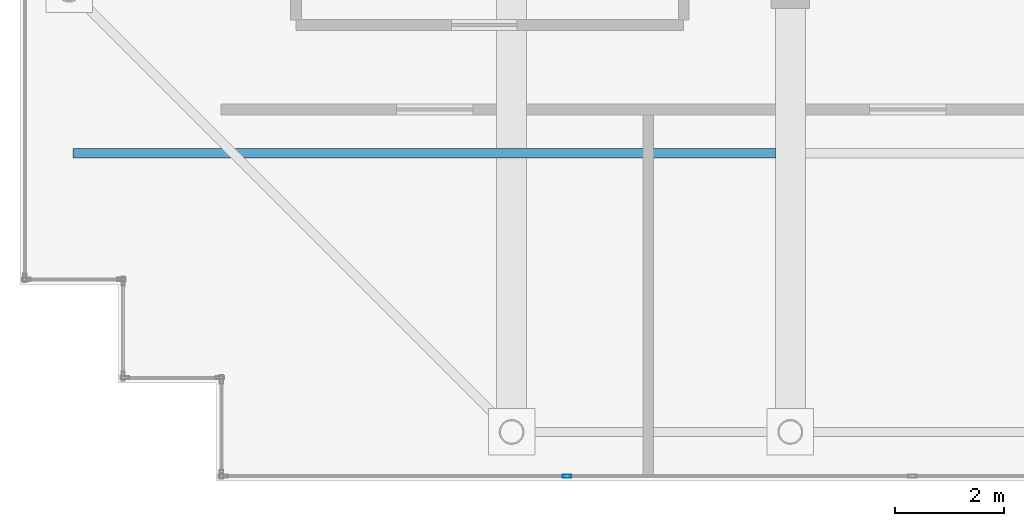
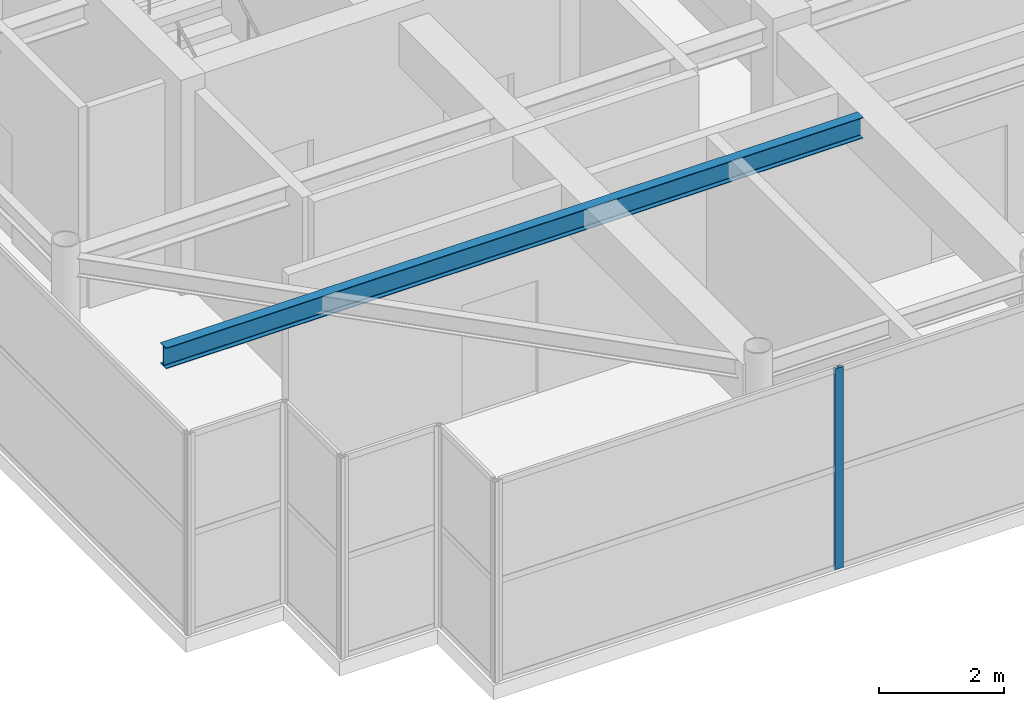
# One storey, part 3 of 32: 1 beam, 1 member, 1 element without a shape of its own.
"""IFC4 building model written with IfcOpenShell, lengths in metres."""

from ifc_helpers import new_model, si_unit, direction, frame, origin, origin_2d, place, context, subcontext, project, spatial, hollow_rectangle, i_section, extrude, source, transform, mapped, material, layer, layer_set, material_profile, profile_set, type_object, element, aggregate, save


model = new_model("IFC4")

# Units and contexts
model_context = context("Model", 3, precision=1e-05, world=origin(), true_north=direction((0.0, 1.0)))
body_context = subcontext(model_context, "Body", "Model", "MODEL_VIEW")
ifc_project = project(units=[si_unit("LENGTHUNIT", "METRE"), si_unit("AREAUNIT", "SQUARE_METRE"), si_unit("VOLUMEUNIT", "CUBIC_METRE"), si_unit("PLANEANGLEUNIT", "RADIAN"), si_unit("MASSUNIT", "GRAM", prefix="KILO")], contexts=[model_context])

# Site, building, storey
site_placement = place(None, origin())
site = spatial("IfcSite", under=ifc_project, at=site_placement, CompositionType="ELEMENT")
building_placement = place(site_placement, origin())
building = spatial("IfcBuilding", under=site, at=building_placement, Name="Khoralis Quay Care Tower", CompositionType="ELEMENT")
storey_placement = place(building_placement, frame((0.0, 0.0, 293.699951171875)))
storey = spatial("IfcBuildingStorey", under=building, at=storey_placement, Name="L77", CompositionType="ELEMENT", Elevation=293.699951171875)

# Beam
ifc_material_1 = material(Name="Steel S355", Category="steel")
ifc_material_profile_1 = material_profile(ifc_material_1, i_section(OverallWidth=0.177978515625, OverallDepth=0.406982421875, WebThickness=0.0078125, FlangeThickness=0.0126953125, FilletRadius=0.012939453125, at=origin_2d()), Name="Steel S355")
ifc_profile_set_1 = profile_set([ifc_material_profile_1], Name="Steel S355")
beam_type = type_object("IfcBeamType", Name="BM-W410X60", PredefinedType="JOIST", material=ifc_profile_set_1)
shared_shape_1 = source(origin(), body_context, "Body", "SweptSolid", [
    extrude(i_section(OverallWidth=0.177978515625, OverallDepth=0.406982421875, WebThickness=0.0078125, FlangeThickness=0.0126953125, FilletRadius=0.012939453125, at=origin_2d()), origin(), (0.0, 0.0, 1.0), 12.865966796875),
])
beam_placement = place(storey_placement, frame((3.970947265625, 9.0, 3.716552734375), z_axis=(1.0, 0.0, 0.0), x_axis=(0.0, 1.0, 0.0)))
element("IfcBeam", 1, at=beam_placement, inside=storey, type_object=beam_type, Name="BM-TJS-L77-21", PredefinedType="JOIST", context=body_context, shape_type="MappedRepresentation", body=[
    mapped(shared_shape_1, transform((0.0, 0.0, 0.0), scale=1.0)),
])

# Curtain wall, member
ifc_material_2 = material(Name="Pale anodised aluminium", Category="aluminium")
ifc_layer = layer(ifc_material_2, 0.199951171875)
ifc_layer_set = layer_set([ifc_layer], Name="Pale anodised aluminium")
curtain_wall_type = type_object("IfcCurtainWallType", Name="CW-SYS-LANTERN", PredefinedType="NOTDEFINED", material=ifc_layer_set)
curtain_wall_placement = place(storey_placement, origin())
curtain_wall = element("IfcCurtainWall", 2, at=curtain_wall_placement, inside=storey, type_object=curtain_wall_type, Name="L77 Unitised Curtain Wall CW-LN-L77-01", PredefinedType="NOTDEFINED")
ifc_material_profile_2 = material_profile(ifc_material_2, hollow_rectangle(XDim=0.06005859375, YDim=0.159912109375, WallThickness=0.00390625, at=origin_2d()), Name="Pale anodised aluminium")
ifc_profile_set_2 = profile_set([ifc_material_profile_2], Name="Pale anodised aluminium")
member_type = type_object("IfcMemberType", Name="CW-MUL-160", PredefinedType="MULLION", material=ifc_profile_set_2)
shared_shape_2 = source(origin(), body_context, "Body", "SweptSolid", [
    extrude(hollow_rectangle(XDim=0.06005859375, YDim=0.159912109375, WallThickness=0.00390625, at=origin_2d()), origin(), (0.0, 0.0, 1.0), 3.920166015625),
])
member_placement = place(storey_placement, frame((13.013916015625, 3.090087890625, 0.0), z_axis=(0.0, 0.0, 1.0), x_axis=(0.0, 1.0, 0.0)))
member = element("IfcMember", 3, at=member_placement, type_object=member_type, Name="CW5 mullion 2", PredefinedType="MULLION", context=body_context, shape_type="MappedRepresentation", body=[
    mapped(shared_shape_2, transform((0.0, 0.0, 0.0), scale=1.0)),
])
aggregate(curtain_wall, [member])

save(model, "model.ifc")
